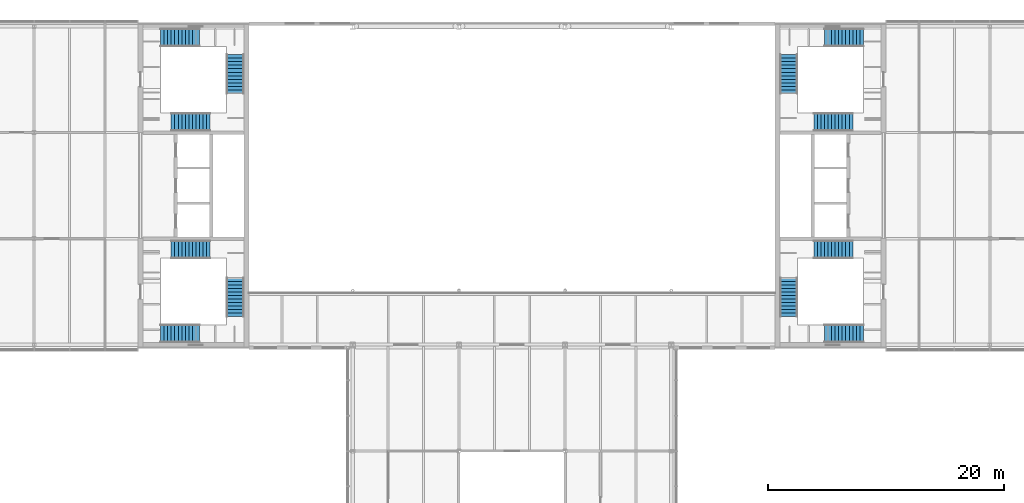
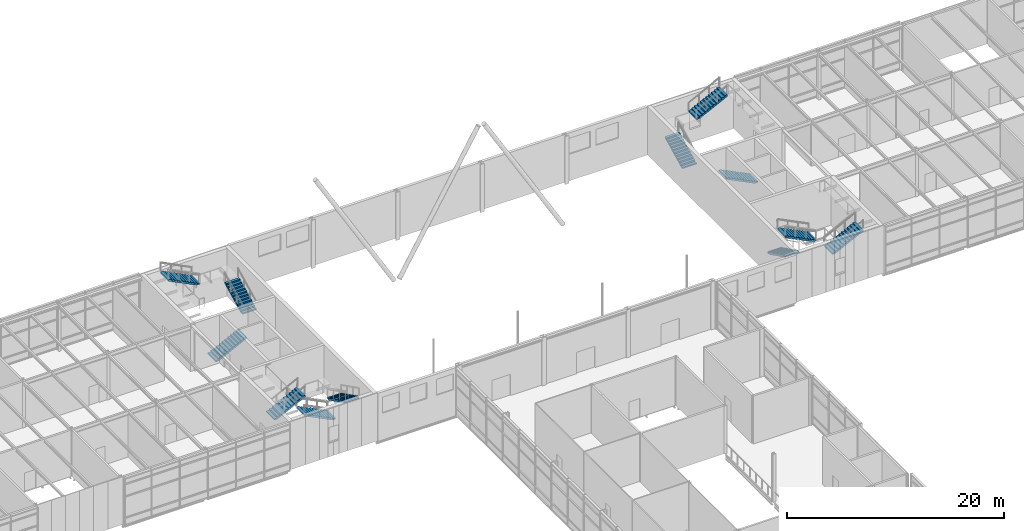
# One storey, part 40 of 46: 12 stair flights, 4 elements without a shape of their own.
"""IFC4 building model written with IfcOpenShell, lengths in metres."""

from ifc_helpers import new_model, si_unit, direction, frame, origin, place, context, subcontext, project, spatial, polyline, outline, extrude, material, type_object, element, aggregate, save


model = new_model("IFC4")

# Units and contexts
model_context = context("Model", 3, precision=1e-05, world=origin(), true_north=direction((0.0, 1.0)))
body_context = subcontext(model_context, "Body", "Model", "MODEL_VIEW")
ifc_project = project(units=[si_unit("LENGTHUNIT", "METRE"), si_unit("AREAUNIT", "SQUARE_METRE"), si_unit("VOLUMEUNIT", "CUBIC_METRE"), si_unit("PLANEANGLEUNIT", "RADIAN"), si_unit("MASSUNIT", "GRAM", prefix="KILO")], contexts=[model_context])

# Site, building, storey
site_placement = place(None, origin())
site = spatial("IfcSite", under=ifc_project, at=site_placement, CompositionType="ELEMENT")
building_placement = place(site_placement, origin())
building = spatial("IfcBuilding", under=site, at=building_placement, Name="Azimuth Sports and Learning Centre", CompositionType="ELEMENT")
storey_placement = place(building_placement, frame((0.0, 0.0, 21.60009765625)))
storey = spatial("IfcBuildingStorey", under=building, at=storey_placement, Name="L04", CompositionType="ELEMENT", Elevation=21.60009765625)

# Stair, stair flights
ifc_material_1 = material(Name="Concrete C32/40", Category="concrete")
stair_type = type_object("IfcStairType", Name="Square-well stair core 5400 storey", PredefinedType="THREE_QUARTER_TURN_STAIR", material=ifc_material_1)
stair_1_placement = place(storey_placement, origin())
stair_1 = element("IfcStair", 1, at=stair_1_placement, inside=storey, type_object=stair_type, Name="Stair W1 L04-L05", PredefinedType="THREE_QUARTER_TURN_STAIR")
ifc_material_2 = material(Name="Concrete C32/40", Category="concrete")
stair_flight_type = type_object("IfcStairFlightType", Name="Stair flight 12 risers", PredefinedType="STRAIGHT", material=ifc_material_2)
stair_flight_1_placement = place(storey_placement, frame((56.610107421875, 98.090087890625, 0.0), z_axis=(0.0, 0.0, 1.0), x_axis=(1.0, 0.0, 0.0)))
stair_flight_1 = element("IfcStairFlight", 2, at=stair_flight_1_placement, type_object=stair_flight_type, Name="Stair W1 L04 flight 1", NumberOfRisers=12, NumberOfTreads=11, PredefinedType="STRAIGHT", RiserHeight=0.15, TreadLength=0.3, context=body_context, shape_type="SweptSolid", body=[
    extrude(outline(polyline([(0.0, 0.0), (0.0, 0.14990234375), (0.300048828125, 0.14990234375), (0.300048828125, 0.300048828125), (0.60009765625, 0.300048828125), (0.60009765625, 0.449951171875), (0.89990234375, 0.449951171875), (0.89990234375, 0.60009765625), (1.199951171875, 0.60009765625), (1.199951171875, 0.75), (1.5, 0.75), (1.5, 0.89990234375), (1.800048828125, 0.89990234375), (1.800048828125, 1.050048828125), (2.10009765625, 1.050048828125), (2.10009765625, 1.199951171875), (2.39990234375, 1.199951171875), (2.39990234375, 1.35009765625), (2.699951171875, 1.35009765625), (2.699951171875, 1.5), (3.0, 1.5), (3.0, 1.64990234375), (3.300048828125, 1.64990234375), (3.300048828125, 1.800048828125), (3.300048828125, 1.482421875), (0.335205078125, 0.0), (0.0, 0.0)])), frame((0.0, 0.75, 0.0), z_axis=(0.0, -1.0, 0.0), x_axis=(1.0, 0.0, 0.0)), (0.0, 0.0, 1.0), 1.5),
])
stair_flight_2_placement = place(storey_placement, frame((62.0400390625, 95.68994140625, 1.7998046875), z_axis=(0.0, 0.0, 1.0), x_axis=(0.0, -1.0, 0.0)))
stair_flight_2 = element("IfcStairFlight", 3, at=stair_flight_2_placement, type_object=stair_flight_type, Name="Stair W1 L04 flight 2", NumberOfRisers=12, NumberOfTreads=11, PredefinedType="STRAIGHT", RiserHeight=0.15, TreadLength=0.3, context=body_context, shape_type="SweptSolid", body=[
    extrude(outline(polyline([(0.0, 0.0), (0.0, 0.14990234375), (0.300048828125, 0.14990234375), (0.300048828125, 0.300048828125), (0.60009765625, 0.300048828125), (0.60009765625, 0.449951171875), (0.89990234375, 0.449951171875), (0.89990234375, 0.60009765625), (1.199951171875, 0.60009765625), (1.199951171875, 0.75), (1.5, 0.75), (1.5, 0.89990234375), (1.800048828125, 0.89990234375), (1.800048828125, 1.050048828125), (2.10009765625, 1.050048828125), (2.10009765625, 1.199951171875), (2.39990234375, 1.199951171875), (2.39990234375, 1.35009765625), (2.699951171875, 1.35009765625), (2.699951171875, 1.5), (3.0, 1.5), (3.0, 1.64990234375), (3.300048828125, 1.64990234375), (3.300048828125, 1.800048828125), (3.300048828125, 1.482421875), (0.335205078125, 0.0), (0.0, 0.0)])), frame((0.0, 0.75, 0.0), z_axis=(0.0, -1.0, 0.0), x_axis=(1.0, 0.0, 0.0)), (0.0, 0.0, 1.0), 1.5),
])
stair_flight_3_placement = place(storey_placement, frame((59.010009765625, 90.9599609375, 3.599853515625), z_axis=(0.0, 0.0, 1.0), x_axis=(-1.0, 0.0, 0.0)))
stair_flight_3 = element("IfcStairFlight", 4, at=stair_flight_3_placement, type_object=stair_flight_type, Name="Stair W1 L04 flight 3", NumberOfRisers=12, NumberOfTreads=11, PredefinedType="STRAIGHT", RiserHeight=0.15, TreadLength=0.3, context=body_context, shape_type="SweptSolid", body=[
    extrude(outline(polyline([(0.0, 0.0), (0.0, 0.14990234375), (0.300048828125, 0.14990234375), (0.300048828125, 0.300048828125), (0.60009765625, 0.300048828125), (0.60009765625, 0.449951171875), (0.89990234375, 0.449951171875), (0.89990234375, 0.60009765625), (1.199951171875, 0.60009765625), (1.199951171875, 0.75), (1.5, 0.75), (1.5, 0.89990234375), (1.800048828125, 0.89990234375), (1.800048828125, 1.050048828125), (2.10009765625, 1.050048828125), (2.10009765625, 1.199951171875), (2.39990234375, 1.199951171875), (2.39990234375, 1.35009765625), (2.699951171875, 1.35009765625), (2.699951171875, 1.5), (3.0, 1.5), (3.0, 1.64990234375), (3.300048828125, 1.64990234375), (3.300048828125, 1.800048828125), (3.300048828125, 1.482421875), (0.335205078125, 0.0), (0.0, 0.0)])), frame((0.0, 0.75, 0.0), z_axis=(0.0, -1.0, 0.0), x_axis=(1.0, 0.0, 0.0)), (0.0, 0.0, 1.0), 1.5),
])
aggregate(stair_1, [stair_flight_1, stair_flight_2, stair_flight_3])

stair_2_placement = place(storey_placement, origin())
stair_2 = element("IfcStair", 5, at=stair_2_placement, inside=storey, type_object=stair_type, Name="Stair W2 L04-L05", PredefinedType="THREE_QUARTER_TURN_STAIR")
stair_flight_4_placement = place(storey_placement, frame((56.610107421875, 108.909912109375, 0.0), z_axis=(0.0, 0.0, 1.0), x_axis=(1.0, 0.0, 0.0)))
stair_flight_4 = element("IfcStairFlight", 6, at=stair_flight_4_placement, type_object=stair_flight_type, Name="Stair W2 L04 flight 1", NumberOfRisers=12, NumberOfTreads=11, PredefinedType="STRAIGHT", RiserHeight=0.15, TreadLength=0.3, context=body_context, shape_type="SweptSolid", body=[
    extrude(outline(polyline([(0.0, 0.0), (0.0, 0.14990234375), (0.300048828125, 0.14990234375), (0.300048828125, 0.300048828125), (0.60009765625, 0.300048828125), (0.60009765625, 0.449951171875), (0.89990234375, 0.449951171875), (0.89990234375, 0.60009765625), (1.199951171875, 0.60009765625), (1.199951171875, 0.75), (1.5, 0.75), (1.5, 0.89990234375), (1.800048828125, 0.89990234375), (1.800048828125, 1.050048828125), (2.10009765625, 1.050048828125), (2.10009765625, 1.199951171875), (2.39990234375, 1.199951171875), (2.39990234375, 1.35009765625), (2.699951171875, 1.35009765625), (2.699951171875, 1.5), (3.0, 1.5), (3.0, 1.64990234375), (3.300048828125, 1.64990234375), (3.300048828125, 1.800048828125), (3.300048828125, 1.482421875), (0.335205078125, 0.0), (0.0, 0.0)])), frame((0.0, 0.75, 0.0), z_axis=(0.0, -1.0, 0.0), x_axis=(1.0, 0.0, 0.0)), (0.0, 0.0, 1.0), 1.5),
])
stair_flight_5_placement = place(storey_placement, frame((62.0400390625, 111.31005859375, 1.7998046875), z_axis=(0.0, 0.0, 1.0), x_axis=(0.0, 1.0, 0.0)))
stair_flight_5 = element("IfcStairFlight", 7, at=stair_flight_5_placement, type_object=stair_flight_type, Name="Stair W2 L04 flight 2", NumberOfRisers=12, NumberOfTreads=11, PredefinedType="STRAIGHT", RiserHeight=0.15, TreadLength=0.3, context=body_context, shape_type="SweptSolid", body=[
    extrude(outline(polyline([(0.0, 0.0), (0.0, 0.14990234375), (0.300048828125, 0.14990234375), (0.300048828125, 0.300048828125), (0.60009765625, 0.300048828125), (0.60009765625, 0.449951171875), (0.89990234375, 0.449951171875), (0.89990234375, 0.60009765625), (1.199951171875, 0.60009765625), (1.199951171875, 0.75), (1.5, 0.75), (1.5, 0.89990234375), (1.800048828125, 0.89990234375), (1.800048828125, 1.050048828125), (2.10009765625, 1.050048828125), (2.10009765625, 1.199951171875), (2.39990234375, 1.199951171875), (2.39990234375, 1.35009765625), (2.699951171875, 1.35009765625), (2.699951171875, 1.5), (3.0, 1.5), (3.0, 1.64990234375), (3.300048828125, 1.64990234375), (3.300048828125, 1.800048828125), (3.300048828125, 1.482421875), (0.335205078125, 0.0), (0.0, 0.0)])), frame((0.0, 0.75, 0.0), z_axis=(0.0, -1.0, 0.0), x_axis=(1.0, 0.0, 0.0)), (0.0, 0.0, 1.0), 1.5),
])
stair_flight_6_placement = place(storey_placement, frame((59.010009765625, 116.0400390625, 3.599853515625), z_axis=(0.0, 0.0, 1.0), x_axis=(-1.0, 0.0, 0.0)))
stair_flight_6 = element("IfcStairFlight", 8, at=stair_flight_6_placement, type_object=stair_flight_type, Name="Stair W2 L04 flight 3", NumberOfRisers=12, NumberOfTreads=11, PredefinedType="STRAIGHT", RiserHeight=0.15, TreadLength=0.3, context=body_context, shape_type="SweptSolid", body=[
    extrude(outline(polyline([(0.0, 0.0), (0.0, 0.14990234375), (0.300048828125, 0.14990234375), (0.300048828125, 0.300048828125), (0.60009765625, 0.300048828125), (0.60009765625, 0.449951171875), (0.89990234375, 0.449951171875), (0.89990234375, 0.60009765625), (1.199951171875, 0.60009765625), (1.199951171875, 0.75), (1.5, 0.75), (1.5, 0.89990234375), (1.800048828125, 0.89990234375), (1.800048828125, 1.050048828125), (2.10009765625, 1.050048828125), (2.10009765625, 1.199951171875), (2.39990234375, 1.199951171875), (2.39990234375, 1.35009765625), (2.699951171875, 1.35009765625), (2.699951171875, 1.5), (3.0, 1.5), (3.0, 1.64990234375), (3.300048828125, 1.64990234375), (3.300048828125, 1.800048828125), (3.300048828125, 1.482421875), (0.335205078125, 0.0), (0.0, 0.0)])), frame((0.0, 0.75, 0.0), z_axis=(0.0, -1.0, 0.0), x_axis=(1.0, 0.0, 0.0)), (0.0, 0.0, 1.0), 1.5),
])
aggregate(stair_2, [stair_flight_4, stair_flight_5, stair_flight_6])

stair_3_placement = place(storey_placement, origin())
stair_3 = element("IfcStair", 9, at=stair_3_placement, inside=storey, type_object=stair_type, Name="Stair E1 L04-L05", PredefinedType="THREE_QUARTER_TURN_STAIR")
stair_flight_7_placement = place(storey_placement, frame((114.389892578125, 98.090087890625, 0.0), z_axis=(0.0, 0.0, 1.0), x_axis=(-1.0, 0.0, 0.0)))
stair_flight_7 = element("IfcStairFlight", 10, at=stair_flight_7_placement, type_object=stair_flight_type, Name="Stair E1 L04 flight 1", NumberOfRisers=12, NumberOfTreads=11, PredefinedType="STRAIGHT", RiserHeight=0.15, TreadLength=0.3, context=body_context, shape_type="SweptSolid", body=[
    extrude(outline(polyline([(0.0, 0.0), (0.0, 0.14990234375), (0.300048828125, 0.14990234375), (0.300048828125, 0.300048828125), (0.60009765625, 0.300048828125), (0.60009765625, 0.449951171875), (0.89990234375, 0.449951171875), (0.89990234375, 0.60009765625), (1.199951171875, 0.60009765625), (1.199951171875, 0.75), (1.5, 0.75), (1.5, 0.89990234375), (1.800048828125, 0.89990234375), (1.800048828125, 1.050048828125), (2.10009765625, 1.050048828125), (2.10009765625, 1.199951171875), (2.39990234375, 1.199951171875), (2.39990234375, 1.35009765625), (2.699951171875, 1.35009765625), (2.699951171875, 1.5), (3.0, 1.5), (3.0, 1.64990234375), (3.300048828125, 1.64990234375), (3.300048828125, 1.800048828125), (3.300048828125, 1.482421875), (0.335205078125, 0.0), (0.0, 0.0)])), frame((0.0, 0.75, 0.0), z_axis=(0.0, -1.0, 0.0), x_axis=(1.0, 0.0, 0.0)), (0.0, 0.0, 1.0), 1.5),
])
stair_flight_8_placement = place(storey_placement, frame((108.9599609375, 95.68994140625, 1.7998046875), z_axis=(0.0, 0.0, 1.0), x_axis=(0.0, -1.0, 0.0)))
stair_flight_8 = element("IfcStairFlight", 11, at=stair_flight_8_placement, type_object=stair_flight_type, Name="Stair E1 L04 flight 2", NumberOfRisers=12, NumberOfTreads=11, PredefinedType="STRAIGHT", RiserHeight=0.15, TreadLength=0.3, context=body_context, shape_type="SweptSolid", body=[
    extrude(outline(polyline([(0.0, 0.0), (0.0, 0.14990234375), (0.300048828125, 0.14990234375), (0.300048828125, 0.300048828125), (0.60009765625, 0.300048828125), (0.60009765625, 0.449951171875), (0.89990234375, 0.449951171875), (0.89990234375, 0.60009765625), (1.199951171875, 0.60009765625), (1.199951171875, 0.75), (1.5, 0.75), (1.5, 0.89990234375), (1.800048828125, 0.89990234375), (1.800048828125, 1.050048828125), (2.10009765625, 1.050048828125), (2.10009765625, 1.199951171875), (2.39990234375, 1.199951171875), (2.39990234375, 1.35009765625), (2.699951171875, 1.35009765625), (2.699951171875, 1.5), (3.0, 1.5), (3.0, 1.64990234375), (3.300048828125, 1.64990234375), (3.300048828125, 1.800048828125), (3.300048828125, 1.482421875), (0.335205078125, 0.0), (0.0, 0.0)])), frame((0.0, 0.75, 0.0), z_axis=(0.0, -1.0, 0.0), x_axis=(1.0, 0.0, 0.0)), (0.0, 0.0, 1.0), 1.5),
])
stair_flight_9_placement = place(storey_placement, frame((111.989990234375, 90.9599609375, 3.599853515625), z_axis=(0.0, 0.0, 1.0), x_axis=(1.0, 0.0, 0.0)))
stair_flight_9 = element("IfcStairFlight", 12, at=stair_flight_9_placement, type_object=stair_flight_type, Name="Stair E1 L04 flight 3", NumberOfRisers=12, NumberOfTreads=11, PredefinedType="STRAIGHT", RiserHeight=0.15, TreadLength=0.3, context=body_context, shape_type="SweptSolid", body=[
    extrude(outline(polyline([(0.0, 0.0), (0.0, 0.14990234375), (0.300048828125, 0.14990234375), (0.300048828125, 0.300048828125), (0.60009765625, 0.300048828125), (0.60009765625, 0.449951171875), (0.89990234375, 0.449951171875), (0.89990234375, 0.60009765625), (1.199951171875, 0.60009765625), (1.199951171875, 0.75), (1.5, 0.75), (1.5, 0.89990234375), (1.800048828125, 0.89990234375), (1.800048828125, 1.050048828125), (2.10009765625, 1.050048828125), (2.10009765625, 1.199951171875), (2.39990234375, 1.199951171875), (2.39990234375, 1.35009765625), (2.699951171875, 1.35009765625), (2.699951171875, 1.5), (3.0, 1.5), (3.0, 1.64990234375), (3.300048828125, 1.64990234375), (3.300048828125, 1.800048828125), (3.300048828125, 1.482421875), (0.335205078125, 0.0), (0.0, 0.0)])), frame((0.0, 0.75, 0.0), z_axis=(0.0, -1.0, 0.0), x_axis=(1.0, 0.0, 0.0)), (0.0, 0.0, 1.0), 1.5),
])
aggregate(stair_3, [stair_flight_7, stair_flight_8, stair_flight_9])

stair_4_placement = place(storey_placement, origin())
stair_4 = element("IfcStair", 13, at=stair_4_placement, inside=storey, type_object=stair_type, Name="Stair E2 L04-L05", PredefinedType="THREE_QUARTER_TURN_STAIR")
stair_flight_10_placement = place(storey_placement, frame((114.389892578125, 108.909912109375, 0.0), z_axis=(0.0, 0.0, 1.0), x_axis=(-1.0, 0.0, 0.0)))
stair_flight_10 = element("IfcStairFlight", 14, at=stair_flight_10_placement, type_object=stair_flight_type, Name="Stair E2 L04 flight 1", NumberOfRisers=12, NumberOfTreads=11, PredefinedType="STRAIGHT", RiserHeight=0.15, TreadLength=0.3, context=body_context, shape_type="SweptSolid", body=[
    extrude(outline(polyline([(0.0, 0.0), (0.0, 0.14990234375), (0.300048828125, 0.14990234375), (0.300048828125, 0.300048828125), (0.60009765625, 0.300048828125), (0.60009765625, 0.449951171875), (0.89990234375, 0.449951171875), (0.89990234375, 0.60009765625), (1.199951171875, 0.60009765625), (1.199951171875, 0.75), (1.5, 0.75), (1.5, 0.89990234375), (1.800048828125, 0.89990234375), (1.800048828125, 1.050048828125), (2.10009765625, 1.050048828125), (2.10009765625, 1.199951171875), (2.39990234375, 1.199951171875), (2.39990234375, 1.35009765625), (2.699951171875, 1.35009765625), (2.699951171875, 1.5), (3.0, 1.5), (3.0, 1.64990234375), (3.300048828125, 1.64990234375), (3.300048828125, 1.800048828125), (3.300048828125, 1.482421875), (0.335205078125, 0.0), (0.0, 0.0)])), frame((0.0, 0.75, 0.0), z_axis=(0.0, -1.0, 0.0), x_axis=(1.0, 0.0, 0.0)), (0.0, 0.0, 1.0), 1.5),
])
stair_flight_11_placement = place(storey_placement, frame((108.9599609375, 111.31005859375, 1.7998046875), z_axis=(0.0, 0.0, 1.0), x_axis=(0.0, 1.0, 0.0)))
stair_flight_11 = element("IfcStairFlight", 15, at=stair_flight_11_placement, type_object=stair_flight_type, Name="Stair E2 L04 flight 2", NumberOfRisers=12, NumberOfTreads=11, PredefinedType="STRAIGHT", RiserHeight=0.15, TreadLength=0.3, context=body_context, shape_type="SweptSolid", body=[
    extrude(outline(polyline([(0.0, 0.0), (0.0, 0.14990234375), (0.300048828125, 0.14990234375), (0.300048828125, 0.300048828125), (0.60009765625, 0.300048828125), (0.60009765625, 0.449951171875), (0.89990234375, 0.449951171875), (0.89990234375, 0.60009765625), (1.199951171875, 0.60009765625), (1.199951171875, 0.75), (1.5, 0.75), (1.5, 0.89990234375), (1.800048828125, 0.89990234375), (1.800048828125, 1.050048828125), (2.10009765625, 1.050048828125), (2.10009765625, 1.199951171875), (2.39990234375, 1.199951171875), (2.39990234375, 1.35009765625), (2.699951171875, 1.35009765625), (2.699951171875, 1.5), (3.0, 1.5), (3.0, 1.64990234375), (3.300048828125, 1.64990234375), (3.300048828125, 1.800048828125), (3.300048828125, 1.482421875), (0.335205078125, 0.0), (0.0, 0.0)])), frame((0.0, 0.75, 0.0), z_axis=(0.0, -1.0, 0.0), x_axis=(1.0, 0.0, 0.0)), (0.0, 0.0, 1.0), 1.5),
])
stair_flight_12_placement = place(storey_placement, frame((111.989990234375, 116.0400390625, 3.599853515625), z_axis=(0.0, 0.0, 1.0), x_axis=(1.0, 0.0, 0.0)))
stair_flight_12 = element("IfcStairFlight", 16, at=stair_flight_12_placement, type_object=stair_flight_type, Name="Stair E2 L04 flight 3", NumberOfRisers=12, NumberOfTreads=11, PredefinedType="STRAIGHT", RiserHeight=0.15, TreadLength=0.3, context=body_context, shape_type="SweptSolid", body=[
    extrude(outline(polyline([(0.0, 0.0), (0.0, 0.14990234375), (0.300048828125, 0.14990234375), (0.300048828125, 0.300048828125), (0.60009765625, 0.300048828125), (0.60009765625, 0.449951171875), (0.89990234375, 0.449951171875), (0.89990234375, 0.60009765625), (1.199951171875, 0.60009765625), (1.199951171875, 0.75), (1.5, 0.75), (1.5, 0.89990234375), (1.800048828125, 0.89990234375), (1.800048828125, 1.050048828125), (2.10009765625, 1.050048828125), (2.10009765625, 1.199951171875), (2.39990234375, 1.199951171875), (2.39990234375, 1.35009765625), (2.699951171875, 1.35009765625), (2.699951171875, 1.5), (3.0, 1.5), (3.0, 1.64990234375), (3.300048828125, 1.64990234375), (3.300048828125, 1.800048828125), (3.300048828125, 1.482421875), (0.335205078125, 0.0), (0.0, 0.0)])), frame((0.0, 0.75, 0.0), z_axis=(0.0, -1.0, 0.0), x_axis=(1.0, 0.0, 0.0)), (0.0, 0.0, 1.0), 1.5),
])
aggregate(stair_4, [stair_flight_10, stair_flight_11, stair_flight_12])

save(model, "model.ifc")
